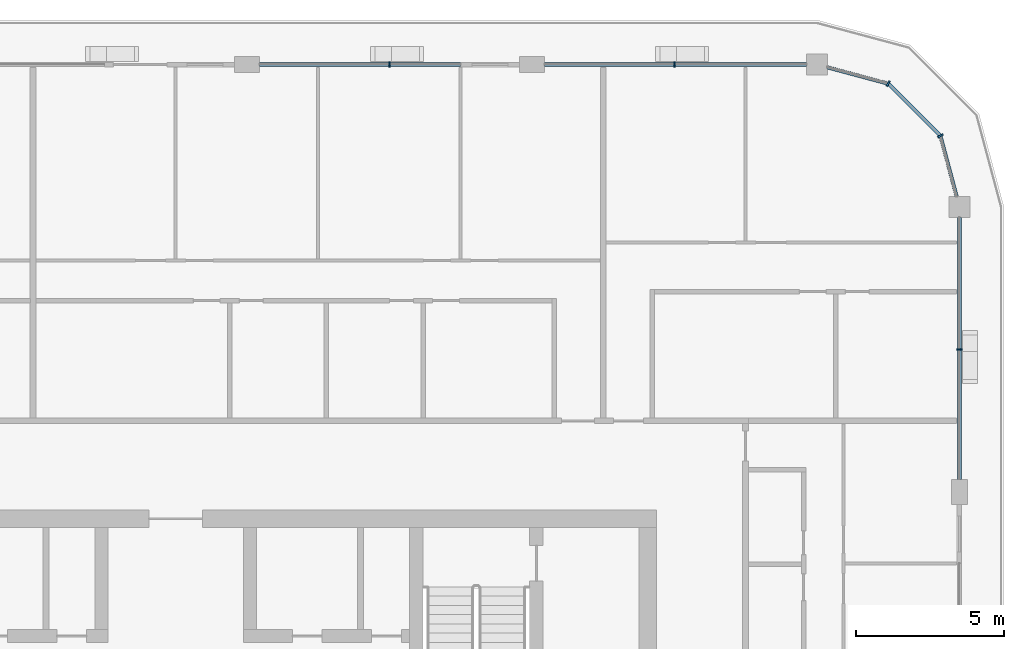
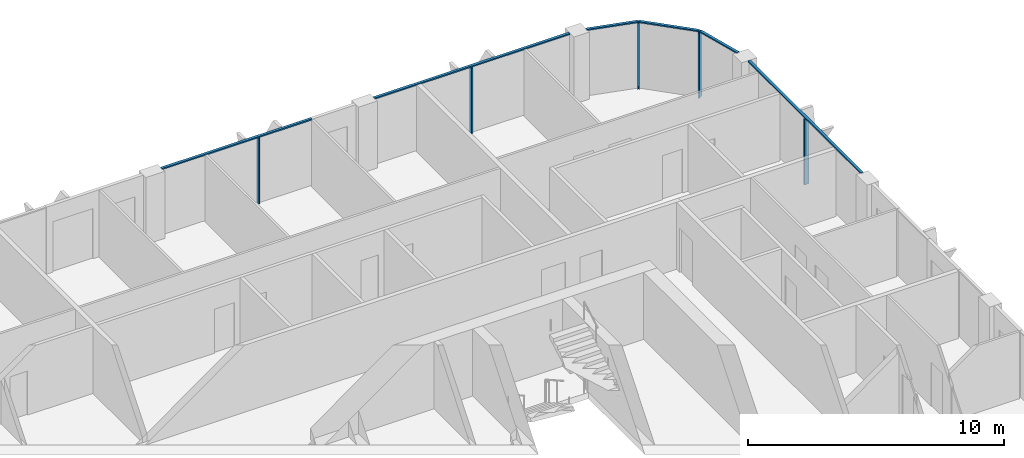
# One storey, part 6 of 21: 11 members, 4 elements without a shape of their own.
"""IFC4 building model written with IfcOpenShell, lengths in metres."""

from ifc_helpers import new_model, si_unit, direction, frame, origin, origin_2d, place, context, subcontext, project, spatial, rectangle, extrude, material, layer, layer_set, material_profile, profile_set, type_object, element, aggregate, save


model = new_model("IFC4")

# Units and contexts
model_context = context("Model", 3, precision=1e-05, world=origin(), true_north=direction((0.0, 1.0)))
body_context = subcontext(model_context, "Body", "Model", "MODEL_VIEW")
ifc_project = project(units=[si_unit("LENGTHUNIT", "METRE"), si_unit("AREAUNIT", "SQUARE_METRE"), si_unit("VOLUMEUNIT", "CUBIC_METRE"), si_unit("PLANEANGLEUNIT", "RADIAN"), si_unit("MASSUNIT", "GRAM", prefix="KILO")], contexts=[model_context])

# Site, building, storey
site_placement = place(None, origin())
site = spatial("IfcSite", under=ifc_project, at=site_placement, CompositionType="ELEMENT")
building_placement = place(site_placement, origin())
building = spatial("IfcBuilding", under=site, at=building_placement, Name="Madar Terraces", CompositionType="ELEMENT")
storey_placement = place(building_placement, frame((0.0, 0.0, 238.699951171875)))
storey = spatial("IfcBuildingStorey", under=building, at=storey_placement, Name="L62", CompositionType="ELEMENT", Elevation=238.699951171875)

# Curtain wall, member
ifc_material_1 = material(Name="Glass, ceramic frit dark grey, with black aluminium frame", Category="aluminium")
ifc_layer = layer(ifc_material_1, 0.199951171875)
ifc_layer_set = layer_set([ifc_layer], Name="Facade curtain wall, fritted glass")
curtain_wall_type = type_object("IfcCurtainWallType", Name="Facade curtain wall, fritted glass", PredefinedType="NOTDEFINED", material=ifc_layer_set)
curtain_wall_1_placement = place(storey_placement, origin())
curtain_wall_1 = element("IfcCurtainWall", 1, at=curtain_wall_1_placement, inside=storey, type_object=curtain_wall_type, Name="Outer skin curtain wall east bay 4", PredefinedType="NOTDEFINED")
ifc_material_2 = material(Name="Aluminium, black anodised", Category="aluminium")
ifc_material_profile_1 = material_profile(ifc_material_2, rectangle(XDim=0.199951171875, YDim=0.06005859375, at=origin_2d()), Name="Facade mullion 60x200")
ifc_profile_set_1 = profile_set([ifc_material_profile_1], Name="Aluminium, black anodised")
member_type_1 = type_object("IfcMemberType", Name="Facade mullion 60x200", PredefinedType="MULLION", material=ifc_profile_set_1)
member_1_placement = place(storey_placement, frame((57.60009765625, 43.199951171875, 0.0), z_axis=(0.0, 0.0, 1.0), x_axis=(-1.0, 0.0, 0.0)))
member_1 = element("IfcMember", 2, at=member_1_placement, type_object=member_type_1, Name="Mullion 1", PredefinedType="MULLION", context=body_context, shape_type="SweptSolid", body=[
    extrude(rectangle(XDim=0.199951171875, YDim=0.06005859375, at=origin_2d()), origin(), (0.0, 0.0, 1.0), 3.14013671875),
])

curtain_wall_2_placement = place(storey_placement, origin())
curtain_wall_2 = element("IfcCurtainWall", 3, at=curtain_wall_2_placement, inside=storey, type_object=curtain_wall_type, Name="Outer skin curtain wall north bay 1", PredefinedType="NOTDEFINED")
member_2_placement = place(storey_placement, frame((48.0, 52.800048828125, 0.0), z_axis=(0.0, 0.0, 1.0), x_axis=(0.0, -1.0, 0.0)))
member_2 = element("IfcMember", 4, at=member_2_placement, type_object=member_type_1, Name="Mullion 1", PredefinedType="MULLION", context=body_context, shape_type="SweptSolid", body=[
    extrude(rectangle(XDim=0.199951171875, YDim=0.06005859375, at=origin_2d()), origin(), (0.0, 0.0, 1.0), 3.14013671875),
])

curtain_wall_3_placement = place(storey_placement, origin())
curtain_wall_3 = element("IfcCurtainWall", 5, at=curtain_wall_3_placement, inside=storey, type_object=curtain_wall_type, Name="Outer skin curtain wall north bay 2", PredefinedType="NOTDEFINED")
member_3_placement = place(storey_placement, frame((38.39990234375, 52.800048828125, 0.0), z_axis=(0.0, 0.0, 1.0), x_axis=(0.0, -1.0, 0.0)))
member_3 = element("IfcMember", 6, at=member_3_placement, type_object=member_type_1, Name="Mullion 1", PredefinedType="MULLION", context=body_context, shape_type="SweptSolid", body=[
    extrude(rectangle(XDim=0.199951171875, YDim=0.06005859375, at=origin_2d()), origin(), (0.0, 0.0, 1.0), 3.14013671875),
])

# Curtain wall, members
curtain_wall_4_placement = place(storey_placement, origin())
curtain_wall_4 = element("IfcCurtainWall", 7, at=curtain_wall_4_placement, inside=storey, type_object=curtain_wall_type, Name="Outer skin curtain wall north-east corner", PredefinedType="NOTDEFINED")
member_4_placement = place(storey_placement, frame((56.95703125, 50.39990234375, 0.0), z_axis=(0.0, 0.0, 1.0), x_axis=(-0.866025409797, -0.499999989586, 0.0)))
member_4 = element("IfcMember", 8, at=member_4_placement, type_object=member_type_1, Name="Mullion 1", PredefinedType="MULLION", context=body_context, shape_type="SweptSolid", body=[
    extrude(rectangle(XDim=0.199951171875, YDim=0.06005859375, at=origin_2d()), origin(), (0.0, 0.0, 1.0), 3.14013671875),
])
member_5_placement = place(storey_placement, frame((55.199951171875, 52.156982421875, 0.0), z_axis=(0.0, 0.0, 1.0), x_axis=(-0.499999989586, -0.866025409797, 0.0)))
member_5 = element("IfcMember", 9, at=member_5_placement, type_object=member_type_1, Name="Mullion 2", PredefinedType="MULLION", context=body_context, shape_type="SweptSolid", body=[
    extrude(rectangle(XDim=0.199951171875, YDim=0.06005859375, at=origin_2d()), origin(), (0.0, 0.0, 1.0), 3.14013671875),
])

# Member
ifc_material_3 = material(Name="Aluminium, black anodised", Category="aluminium")
ifc_material_profile_2 = material_profile(ifc_material_3, rectangle(XDim=0.1201171875, YDim=0.06005859375, at=origin_2d()), Name="Facade transom 60x120")
ifc_profile_set_2 = profile_set([ifc_material_profile_2], Name="Aluminium, black anodised")
member_type_2 = type_object("IfcMemberType", Name="Facade transom 60x120", PredefinedType="USERDEFINED", material=ifc_profile_set_2)
member_6_placement = place(storey_placement, frame((57.60009765625, 38.824951171875, 3.170166015625), z_axis=(0.0, 1.0, 0.0), x_axis=(-1.0, 0.0, 0.0)))
member_6 = element("IfcMember", 10, at=member_6_placement, type_object=member_type_2, Name="Transom 1", ObjectType="TRANSOM", PredefinedType="USERDEFINED", context=body_context, shape_type="SweptSolid", body=[
    extrude(rectangle(XDim=0.1201171875, YDim=0.06005859375, at=origin_2d()), origin(), (0.0, 0.0, 1.0), 8.824951171875),
])

aggregate(curtain_wall_1, [member_1, member_6])

member_7_placement = place(storey_placement, frame((52.449951171875, 52.800048828125, 3.170166015625), z_axis=(-1.0, 0.0, 0.0), x_axis=(0.0, -1.0, 0.0)))
member_7 = element("IfcMember", 11, at=member_7_placement, type_object=member_type_2, Name="Transom 1", ObjectType="TRANSOM", PredefinedType="USERDEFINED", context=body_context, shape_type="SweptSolid", body=[
    extrude(rectangle(XDim=0.1201171875, YDim=0.06005859375, at=origin_2d()), origin(), (0.0, 0.0, 1.0), 8.824951171875),
])

aggregate(curtain_wall_2, [member_2, member_7])

member_8_placement = place(storey_placement, frame((40.800048828125, 52.800048828125, 3.170166015625), z_axis=(-1.0, 0.0, 0.0), x_axis=(0.0, -1.0, 0.0)))
member_8 = element("IfcMember", 12, at=member_8_placement, type_object=member_type_2, Name="Transom 1", ObjectType="TRANSOM", PredefinedType="USERDEFINED", context=body_context, shape_type="SweptSolid", body=[
    extrude(rectangle(XDim=0.1201171875, YDim=0.06005859375, at=origin_2d()), origin(), (0.0, 0.0, 1.0), 6.775146484375),
])

aggregate(curtain_wall_3, [member_3, member_8])

member_9_placement = place(storey_placement, frame((57.506103515625, 48.35009765625, 3.170166015625), z_axis=(-0.258809963731, 0.965928259589, 0.0), x_axis=(-0.965928259589, -0.258809963731, 0.0)))
member_9 = element("IfcMember", 13, at=member_9_placement, type_object=member_type_2, Name="Transom 1", ObjectType="TRANSOM", PredefinedType="USERDEFINED", context=body_context, shape_type="SweptSolid", body=[
    extrude(rectangle(XDim=0.1201171875, YDim=0.06005859375, at=origin_2d()), origin(), (0.0, 0.0, 1.0), 2.09228515625),
])

member_10_placement = place(storey_placement, frame((56.935791015625, 50.421142578125, 3.170166015625), z_axis=(-0.707106781187, 0.707106781187, 0.0), x_axis=(-0.707106781187, -0.707106781187, 0.0)))
member_10 = element("IfcMember", 14, at=member_10_placement, type_object=member_type_2, Name="Transom 2", ObjectType="TRANSOM", PredefinedType="USERDEFINED", context=body_context, shape_type="SweptSolid", body=[
    extrude(rectangle(XDim=0.1201171875, YDim=0.06005859375, at=origin_2d()), origin(), (0.0, 0.0, 1.0), 2.4248046875),
])

member_11_placement = place(storey_placement, frame((55.171142578125, 52.164794921875, 3.170166015625), z_axis=(-0.965936074212, 0.258780796304, 0.0), x_axis=(-0.258780796304, -0.965936074212, 0.0)))
member_11 = element("IfcMember", 15, at=member_11_placement, type_object=member_type_2, Name="Transom 3", ObjectType="TRANSOM", PredefinedType="USERDEFINED", context=body_context, shape_type="SweptSolid", body=[
    extrude(rectangle(XDim=0.1201171875, YDim=0.06005859375, at=origin_2d()), origin(), (0.0, 0.0, 1.0), 2.092529296875),
])

aggregate(curtain_wall_4, [member_4, member_9, member_5, member_10, member_11])

save(model, "model.ifc")
